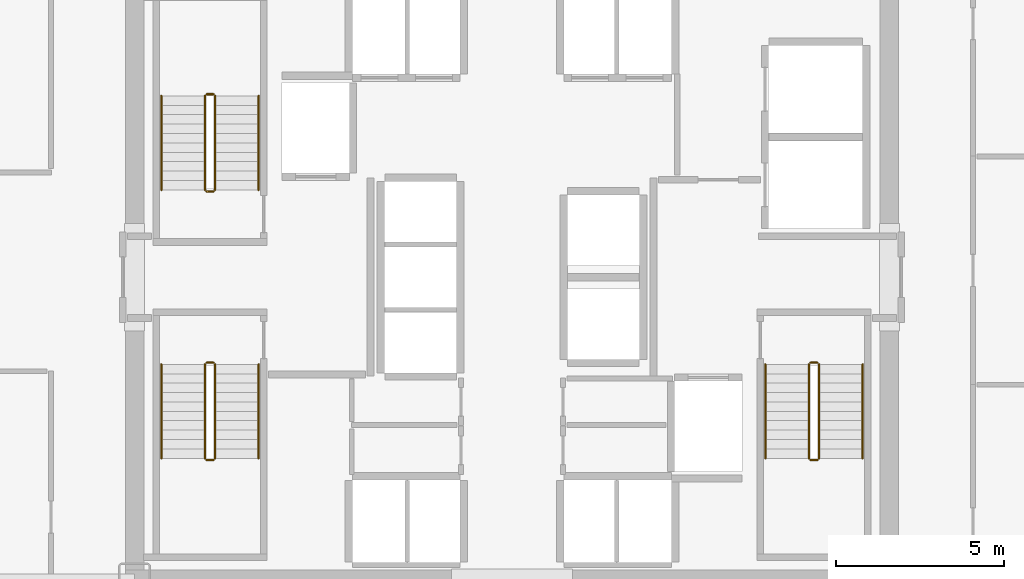
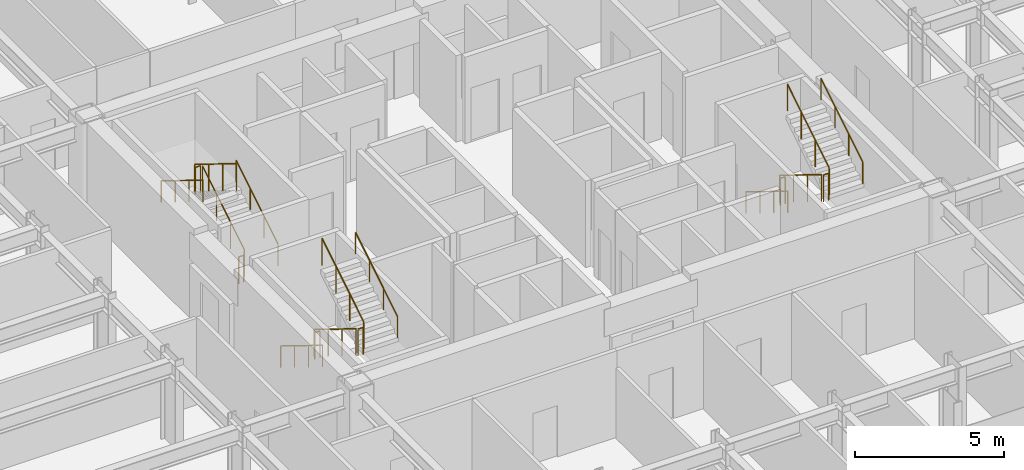
# One storey, part 25 of 25: 18 railings.
"""IFC4 building model written with IfcOpenShell, lengths in metres."""

from ifc_helpers import new_model, si_unit, direction, frame, origin, origin_2d, place, context, subcontext, project, spatial, circle, extrude, material, type_object, element, save


model = new_model("IFC4")

# Units and contexts
model_context = context("Model", 3, precision=1e-05, world=origin(), true_north=direction((0.0, 1.0)))
body_context = subcontext(model_context, "Body", "Model", "MODEL_VIEW")
ifc_project = project(units=[si_unit("LENGTHUNIT", "METRE"), si_unit("AREAUNIT", "SQUARE_METRE"), si_unit("VOLUMEUNIT", "CUBIC_METRE"), si_unit("PLANEANGLEUNIT", "RADIAN"), si_unit("MASSUNIT", "GRAM", prefix="KILO")], contexts=[model_context])

# Site, building, storey
site_placement = place(None, origin())
site = spatial("IfcSite", under=ifc_project, at=site_placement, CompositionType="ELEMENT")
building_placement = place(site_placement, origin())
building = spatial("IfcBuilding", under=site, at=building_placement, Name="Nefas-Gora Pilgrimage Tower", CompositionType="ELEMENT")
storey_placement = place(building_placement, frame((0.0, 0.0, 109.800048828125)))
storey = spatial("IfcBuildingStorey", under=building, at=storey_placement, Name="L26", CompositionType="ELEMENT", Elevation=109.800048828125)

# Railings
ifc_material_1 = material(Name="Painted galvanised steel", Category="steel")
railing_type_1 = type_object("IfcRailingType", Name="RLG-STR-GUARD-1100", PredefinedType="GUARDRAIL", material=ifc_material_1)
railing_1_placement = place(storey_placement, frame((-8.85009765625, 2.60009765625, 0.172607421875)))
element("IfcRailing", 1, at=railing_1_placement, inside=storey, type_object=railing_type_1, Name="L26 ST-01 stair guard 1", PredefinedType="GUARDRAIL", context=body_context, shape_type="SweptSolid", body=[
    extrude(circle(Radius=0.02392578125, at=origin_2d()), frame((0.0, 0.0, 1.09619140625), z_axis=(0.0, 0.851069175582, 0.525053576669), x_axis=(-1.0, 0.0, 0.0)), (0.0, 0.0, 1.0), 3.289794921875),
    extrude(circle(Radius=0.02099609375, at=origin_2d()), origin(), (0.0, 0.0, 1.0), 1.072021484375),
    extrude(circle(Radius=0.02099609375, at=origin_2d()), frame((0.0, 0.933349609375, 0.57568359375)), (0.0, 0.0, 1.0), 1.072021484375),
    extrude(circle(Radius=0.02099609375, at=origin_2d()), frame((0.0, 1.866455078125, 1.151611328125)), (0.0, 0.0, 1.0), 1.072021484375),
    extrude(circle(Radius=0.02099609375, at=origin_2d()), frame((0.0, 2.7998046875, 1.727294921875)), (0.0, 0.0, 1.0), 1.072021484375),
])
railing_2_placement = place(storey_placement, frame((-8.89990234375, 5.449951171875, 1.89990234375)))
element("IfcRailing", 2, at=railing_2_placement, inside=storey, type_object=railing_type_1, Name="L26 ST-01 stair guard 2", PredefinedType="GUARDRAIL", context=body_context, shape_type="SweptSolid", body=[
    extrude(circle(Radius=0.02392578125, at=origin_2d()), frame((0.0, 0.0, 1.09619140625), z_axis=(-1.0, 0.0, 0.0), x_axis=(0.0, -1.0, 0.0)), (0.0, 0.0, 1.0), 0.2001953125),
    extrude(circle(Radius=0.02099609375, at=origin_2d()), origin(), (0.0, 0.0, 1.0), 1.072021484375),
    extrude(circle(Radius=0.02099609375, at=origin_2d()), frame((-0.2001953125, 0.0, 0.0)), (0.0, 0.0, 1.0), 1.072021484375),
])
railing_3_placement = place(storey_placement, frame((-9.14990234375, 5.39990234375, 2.07275390625)))
element("IfcRailing", 3, at=railing_3_placement, inside=storey, type_object=railing_type_1, Name="L26 ST-01 stair guard 3", PredefinedType="GUARDRAIL", context=body_context, shape_type="SweptSolid", body=[
    extrude(circle(Radius=0.02392578125, at=origin_2d()), frame((0.0, 0.0, 1.09619140625), z_axis=(0.0, -0.851069175582, 0.525053576669), x_axis=(1.0, 0.0, 0.0)), (0.0, 0.0, 1.0), 3.289794921875),
    extrude(circle(Radius=0.02099609375, at=origin_2d()), origin(), (0.0, 0.0, 1.0), 1.072021484375),
    extrude(circle(Radius=0.02099609375, at=origin_2d()), frame((0.0, -0.933349609375, 0.57568359375)), (0.0, 0.0, 1.0), 1.072021484375),
    extrude(circle(Radius=0.02099609375, at=origin_2d()), frame((0.0, -1.866455078125, 1.151611328125)), (0.0, 0.0, 1.0), 1.072021484375),
    extrude(circle(Radius=0.02099609375, at=origin_2d()), frame((0.0, -2.7998046875, 1.727294921875)), (0.0, 0.0, 1.0), 1.072021484375),
])
railing_4_placement = place(storey_placement, frame((-8.89990234375, 2.550048828125, 0.0)))
element("IfcRailing", 4, at=railing_4_placement, inside=storey, type_object=railing_type_1, Name="L26 ST-01 stair guard 4", PredefinedType="GUARDRAIL", context=body_context, shape_type="SweptSolid", body=[
    extrude(circle(Radius=0.02392578125, at=origin_2d()), frame((0.0, 0.0, 1.09619140625), z_axis=(-1.0, 0.0, 0.0), x_axis=(0.0, -1.0, 0.0)), (0.0, 0.0, 1.0), 0.2001953125),
    extrude(circle(Radius=0.02099609375, at=origin_2d()), origin(), (0.0, 0.0, 1.0), 1.072021484375),
    extrude(circle(Radius=0.02099609375, at=origin_2d()), frame((-0.2001953125, 0.0, 0.0)), (0.0, 0.0, 1.0), 1.072021484375),
])
railing_5_placement = place(storey_placement, frame((8.85009765625, -2.60009765625, 0.172607421875)))
element("IfcRailing", 5, at=railing_5_placement, inside=storey, type_object=railing_type_1, Name="L26 ST-02 stair guard 1", PredefinedType="GUARDRAIL", context=body_context, shape_type="SweptSolid", body=[
    extrude(circle(Radius=0.02392578125, at=origin_2d()), frame((0.0, 0.0, 1.09619140625), z_axis=(0.0, -0.851069175582, 0.525053576669), x_axis=(1.0, 0.0, 0.0)), (0.0, 0.0, 1.0), 3.289794921875),
    extrude(circle(Radius=0.02099609375, at=origin_2d()), origin(), (0.0, 0.0, 1.0), 1.072021484375),
    extrude(circle(Radius=0.02099609375, at=origin_2d()), frame((0.0, -0.933349609375, 0.57568359375)), (0.0, 0.0, 1.0), 1.072021484375),
    extrude(circle(Radius=0.02099609375, at=origin_2d()), frame((0.0, -1.866455078125, 1.151611328125)), (0.0, 0.0, 1.0), 1.072021484375),
    extrude(circle(Radius=0.02099609375, at=origin_2d()), frame((0.0, -2.7998046875, 1.727294921875)), (0.0, 0.0, 1.0), 1.072021484375),
])
railing_6_placement = place(storey_placement, frame((8.89990234375, -5.449951171875, 1.89990234375)))
element("IfcRailing", 6, at=railing_6_placement, inside=storey, type_object=railing_type_1, Name="L26 ST-02 stair guard 2", PredefinedType="GUARDRAIL", context=body_context, shape_type="SweptSolid", body=[
    extrude(circle(Radius=0.02392578125, at=origin_2d()), frame((0.0, 0.0, 1.09619140625), z_axis=(1.0, 0.0, 0.0), x_axis=(0.0, 1.0, 0.0)), (0.0, 0.0, 1.0), 0.2001953125),
    extrude(circle(Radius=0.02099609375, at=origin_2d()), origin(), (0.0, 0.0, 1.0), 1.072021484375),
    extrude(circle(Radius=0.02099609375, at=origin_2d()), frame((0.2001953125, 0.0, 0.0)), (0.0, 0.0, 1.0), 1.072021484375),
])
railing_7_placement = place(storey_placement, frame((9.14990234375, -5.39990234375, 2.07275390625)))
element("IfcRailing", 7, at=railing_7_placement, inside=storey, type_object=railing_type_1, Name="L26 ST-02 stair guard 3", PredefinedType="GUARDRAIL", context=body_context, shape_type="SweptSolid", body=[
    extrude(circle(Radius=0.02392578125, at=origin_2d()), frame((0.0, 0.0, 1.09619140625), z_axis=(0.0, 0.851069175582, 0.525053576669), x_axis=(-1.0, 0.0, 0.0)), (0.0, 0.0, 1.0), 3.289794921875),
    extrude(circle(Radius=0.02099609375, at=origin_2d()), origin(), (0.0, 0.0, 1.0), 1.072021484375),
    extrude(circle(Radius=0.02099609375, at=origin_2d()), frame((0.0, 0.933349609375, 0.57568359375)), (0.0, 0.0, 1.0), 1.072021484375),
    extrude(circle(Radius=0.02099609375, at=origin_2d()), frame((0.0, 1.866455078125, 1.151611328125)), (0.0, 0.0, 1.0), 1.072021484375),
    extrude(circle(Radius=0.02099609375, at=origin_2d()), frame((0.0, 2.7998046875, 1.727294921875)), (0.0, 0.0, 1.0), 1.072021484375),
])
railing_8_placement = place(storey_placement, frame((8.89990234375, -2.550048828125, 0.0)))
element("IfcRailing", 8, at=railing_8_placement, inside=storey, type_object=railing_type_1, Name="L26 ST-02 stair guard 4", PredefinedType="GUARDRAIL", context=body_context, shape_type="SweptSolid", body=[
    extrude(circle(Radius=0.02392578125, at=origin_2d()), frame((0.0, 0.0, 1.09619140625), z_axis=(1.0, 0.0, 0.0), x_axis=(0.0, 1.0, 0.0)), (0.0, 0.0, 1.0), 0.2001953125),
    extrude(circle(Radius=0.02099609375, at=origin_2d()), origin(), (0.0, 0.0, 1.0), 1.072021484375),
    extrude(circle(Radius=0.02099609375, at=origin_2d()), frame((0.2001953125, 0.0, 0.0)), (0.0, 0.0, 1.0), 1.072021484375),
])
railing_9_placement = place(storey_placement, frame((-9.14990234375, -2.60009765625, 0.172607421875)))
element("IfcRailing", 9, at=railing_9_placement, inside=storey, type_object=railing_type_1, Name="L26 ST-03 stair guard 1", PredefinedType="GUARDRAIL", context=body_context, shape_type="SweptSolid", body=[
    extrude(circle(Radius=0.02392578125, at=origin_2d()), frame((0.0, 0.0, 1.09619140625), z_axis=(0.0, -0.851069175582, 0.525053576669), x_axis=(1.0, 0.0, 0.0)), (0.0, 0.0, 1.0), 3.289794921875),
    extrude(circle(Radius=0.02099609375, at=origin_2d()), origin(), (0.0, 0.0, 1.0), 1.072021484375),
    extrude(circle(Radius=0.02099609375, at=origin_2d()), frame((0.0, -0.933349609375, 0.57568359375)), (0.0, 0.0, 1.0), 1.072021484375),
    extrude(circle(Radius=0.02099609375, at=origin_2d()), frame((0.0, -1.866455078125, 1.151611328125)), (0.0, 0.0, 1.0), 1.072021484375),
    extrude(circle(Radius=0.02099609375, at=origin_2d()), frame((0.0, -2.7998046875, 1.727294921875)), (0.0, 0.0, 1.0), 1.072021484375),
])
railing_10_placement = place(storey_placement, frame((-9.10009765625, -5.449951171875, 1.89990234375)))
element("IfcRailing", 10, at=railing_10_placement, inside=storey, type_object=railing_type_1, Name="L26 ST-03 stair guard 2", PredefinedType="GUARDRAIL", context=body_context, shape_type="SweptSolid", body=[
    extrude(circle(Radius=0.02392578125, at=origin_2d()), frame((0.0, 0.0, 1.09619140625), z_axis=(1.0, 0.0, 0.0), x_axis=(0.0, 1.0, 0.0)), (0.0, 0.0, 1.0), 0.2001953125),
    extrude(circle(Radius=0.02099609375, at=origin_2d()), origin(), (0.0, 0.0, 1.0), 1.072021484375),
    extrude(circle(Radius=0.02099609375, at=origin_2d()), frame((0.2001953125, 0.0, 0.0)), (0.0, 0.0, 1.0), 1.072021484375),
])
railing_11_placement = place(storey_placement, frame((-8.85009765625, -5.39990234375, 2.07275390625)))
element("IfcRailing", 11, at=railing_11_placement, inside=storey, type_object=railing_type_1, Name="L26 ST-03 stair guard 3", PredefinedType="GUARDRAIL", context=body_context, shape_type="SweptSolid", body=[
    extrude(circle(Radius=0.02392578125, at=origin_2d()), frame((0.0, 0.0, 1.09619140625), z_axis=(0.0, 0.851069175582, 0.525053576669), x_axis=(-1.0, 0.0, 0.0)), (0.0, 0.0, 1.0), 3.289794921875),
    extrude(circle(Radius=0.02099609375, at=origin_2d()), origin(), (0.0, 0.0, 1.0), 1.072021484375),
    extrude(circle(Radius=0.02099609375, at=origin_2d()), frame((0.0, 0.933349609375, 0.57568359375)), (0.0, 0.0, 1.0), 1.072021484375),
    extrude(circle(Radius=0.02099609375, at=origin_2d()), frame((0.0, 1.866455078125, 1.151611328125)), (0.0, 0.0, 1.0), 1.072021484375),
    extrude(circle(Radius=0.02099609375, at=origin_2d()), frame((0.0, 2.7998046875, 1.727294921875)), (0.0, 0.0, 1.0), 1.072021484375),
])
railing_12_placement = place(storey_placement, frame((-9.10009765625, -2.550048828125, 0.0)))
element("IfcRailing", 12, at=railing_12_placement, inside=storey, type_object=railing_type_1, Name="L26 ST-03 stair guard 4", PredefinedType="GUARDRAIL", context=body_context, shape_type="SweptSolid", body=[
    extrude(circle(Radius=0.02392578125, at=origin_2d()), frame((0.0, 0.0, 1.09619140625), z_axis=(1.0, 0.0, 0.0), x_axis=(0.0, 1.0, 0.0)), (0.0, 0.0, 1.0), 0.2001953125),
    extrude(circle(Radius=0.02099609375, at=origin_2d()), origin(), (0.0, 0.0, 1.0), 1.072021484375),
    extrude(circle(Radius=0.02099609375, at=origin_2d()), frame((0.2001953125, 0.0, 0.0)), (0.0, 0.0, 1.0), 1.072021484375),
])
ifc_material_2 = material(Name="Brushed stainless steel", Category="steel")
railing_type_2 = type_object("IfcRailingType", Name="RLG-STR-HAND-900", PredefinedType="HANDRAIL", material=ifc_material_2)
railing_13_placement = place(storey_placement, frame((-7.550048828125, 2.60009765625, 0.172607421875)))
element("IfcRailing", 13, at=railing_13_placement, inside=storey, type_object=railing_type_2, Name="L26 ST-01 stair handrail 1", PredefinedType="HANDRAIL", context=body_context, shape_type="SweptSolid", body=[
    extrude(circle(Radius=0.02392578125, at=origin_2d()), frame((0.0, 0.0, 0.8759765625), z_axis=(0.0, 0.851069175582, 0.525053576669), x_axis=(-1.0, 0.0, 0.0)), (0.0, 0.0, 1.0), 3.289794921875),
    extrude(circle(Radius=0.02099609375, at=origin_2d()), origin(), (0.0, 0.0, 1.0), 0.851806640625),
    extrude(circle(Radius=0.02099609375, at=origin_2d()), frame((0.0, 0.933349609375, 0.57568359375)), (0.0, 0.0, 1.0), 0.851806640625),
    extrude(circle(Radius=0.02099609375, at=origin_2d()), frame((0.0, 1.866455078125, 1.151611328125)), (0.0, 0.0, 1.0), 0.851806640625),
    extrude(circle(Radius=0.02099609375, at=origin_2d()), frame((0.0, 2.7998046875, 1.727294921875)), (0.0, 0.0, 1.0), 0.851806640625),
])
for number, where, name in (
    (14, (-10.449951171875, 5.39990234375, 2.07275390625), "L26 ST-01 stair handrail 2"),
    (15, (7.550048828125, -2.60009765625, 0.172607421875), "L26 ST-02 stair handrail 1"),
):
    element("IfcRailing", number, at=place(storey_placement, frame(where)), inside=storey, type_object=railing_type_2, Name=name, PredefinedType="HANDRAIL", context=body_context, shape_type="SweptSolid", body=[
        extrude(circle(Radius=0.02392578125, at=origin_2d()), frame((0.0, 0.0, 0.8759765625), z_axis=(0.0, -0.851069175582, 0.525053576669), x_axis=(1.0, 0.0, 0.0)), (0.0, 0.0, 1.0), 3.289794921875),
        extrude(circle(Radius=0.02099609375, at=origin_2d()), origin(), (0.0, 0.0, 1.0), 0.851806640625),
        extrude(circle(Radius=0.02099609375, at=origin_2d()), frame((0.0, -0.933349609375, 0.57568359375)), (0.0, 0.0, 1.0), 0.851806640625),
        extrude(circle(Radius=0.02099609375, at=origin_2d()), frame((0.0, -1.866455078125, 1.151611328125)), (0.0, 0.0, 1.0), 0.851806640625),
        extrude(circle(Radius=0.02099609375, at=origin_2d()), frame((0.0, -2.7998046875, 1.727294921875)), (0.0, 0.0, 1.0), 0.851806640625),
    ])
railing_14_placement = place(storey_placement, frame((10.449951171875, -5.39990234375, 2.07275390625)))
element("IfcRailing", 16, at=railing_14_placement, inside=storey, type_object=railing_type_2, Name="L26 ST-02 stair handrail 2", PredefinedType="HANDRAIL", context=body_context, shape_type="SweptSolid", body=[
    extrude(circle(Radius=0.02392578125, at=origin_2d()), frame((0.0, 0.0, 0.8759765625), z_axis=(0.0, 0.851069175582, 0.525053576669), x_axis=(-1.0, 0.0, 0.0)), (0.0, 0.0, 1.0), 3.289794921875),
    extrude(circle(Radius=0.02099609375, at=origin_2d()), origin(), (0.0, 0.0, 1.0), 0.851806640625),
    extrude(circle(Radius=0.02099609375, at=origin_2d()), frame((0.0, 0.933349609375, 0.57568359375)), (0.0, 0.0, 1.0), 0.851806640625),
    extrude(circle(Radius=0.02099609375, at=origin_2d()), frame((0.0, 1.866455078125, 1.151611328125)), (0.0, 0.0, 1.0), 0.851806640625),
    extrude(circle(Radius=0.02099609375, at=origin_2d()), frame((0.0, 2.7998046875, 1.727294921875)), (0.0, 0.0, 1.0), 0.851806640625),
])
railing_15_placement = place(storey_placement, frame((-10.449951171875, -2.60009765625, 0.172607421875)))
element("IfcRailing", 17, at=railing_15_placement, inside=storey, type_object=railing_type_2, Name="L26 ST-03 stair handrail 1", PredefinedType="HANDRAIL", context=body_context, shape_type="SweptSolid", body=[
    extrude(circle(Radius=0.02392578125, at=origin_2d()), frame((0.0, 0.0, 0.8759765625), z_axis=(0.0, -0.851069175582, 0.525053576669), x_axis=(1.0, 0.0, 0.0)), (0.0, 0.0, 1.0), 3.289794921875),
    extrude(circle(Radius=0.02099609375, at=origin_2d()), origin(), (0.0, 0.0, 1.0), 0.851806640625),
    extrude(circle(Radius=0.02099609375, at=origin_2d()), frame((0.0, -0.933349609375, 0.57568359375)), (0.0, 0.0, 1.0), 0.851806640625),
    extrude(circle(Radius=0.02099609375, at=origin_2d()), frame((0.0, -1.866455078125, 1.151611328125)), (0.0, 0.0, 1.0), 0.851806640625),
    extrude(circle(Radius=0.02099609375, at=origin_2d()), frame((0.0, -2.7998046875, 1.727294921875)), (0.0, 0.0, 1.0), 0.851806640625),
])
railing_16_placement = place(storey_placement, frame((-7.550048828125, -5.39990234375, 2.07275390625)))
element("IfcRailing", 18, at=railing_16_placement, inside=storey, type_object=railing_type_2, Name="L26 ST-03 stair handrail 2", PredefinedType="HANDRAIL", context=body_context, shape_type="SweptSolid", body=[
    extrude(circle(Radius=0.02392578125, at=origin_2d()), frame((0.0, 0.0, 0.8759765625), z_axis=(0.0, 0.851069175582, 0.525053576669), x_axis=(-1.0, 0.0, 0.0)), (0.0, 0.0, 1.0), 3.289794921875),
    extrude(circle(Radius=0.02099609375, at=origin_2d()), origin(), (0.0, 0.0, 1.0), 0.851806640625),
    extrude(circle(Radius=0.02099609375, at=origin_2d()), frame((0.0, 0.933349609375, 0.57568359375)), (0.0, 0.0, 1.0), 0.851806640625),
    extrude(circle(Radius=0.02099609375, at=origin_2d()), frame((0.0, 1.866455078125, 1.151611328125)), (0.0, 0.0, 1.0), 0.851806640625),
    extrude(circle(Radius=0.02099609375, at=origin_2d()), frame((0.0, 2.7998046875, 1.727294921875)), (0.0, 0.0, 1.0), 0.851806640625),
])

save(model, "model.ifc")
